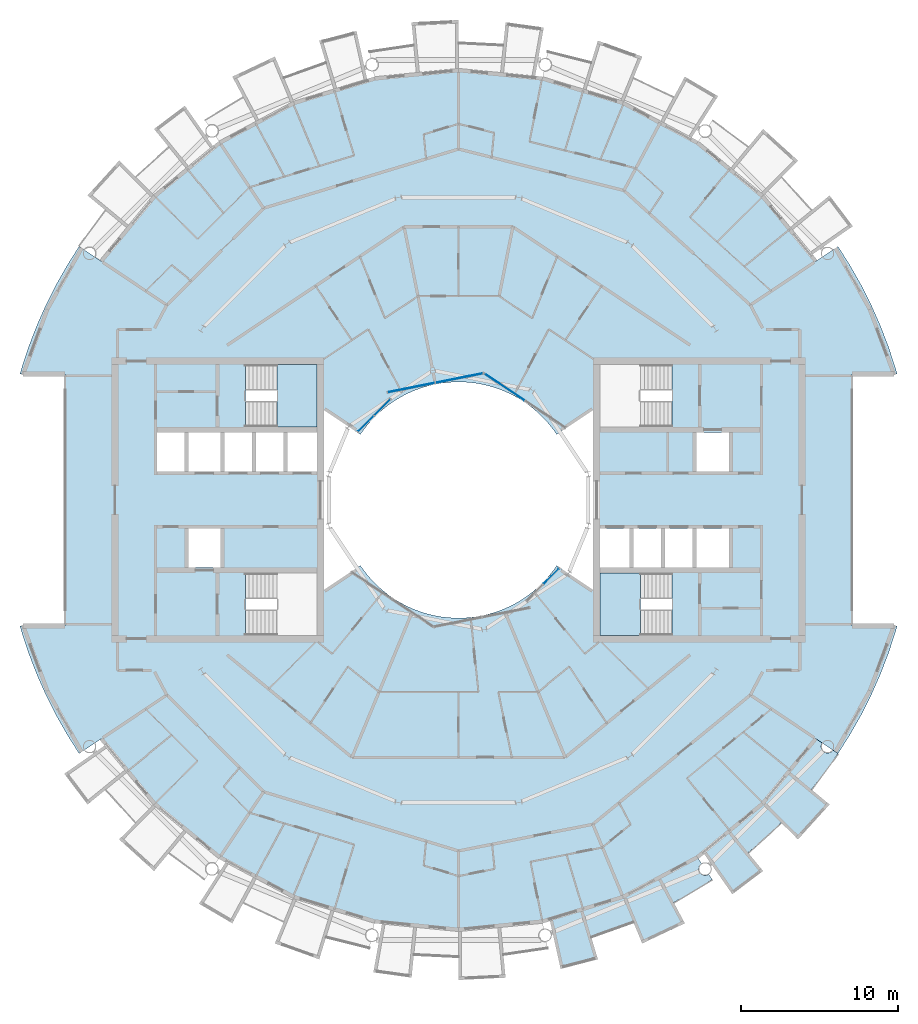
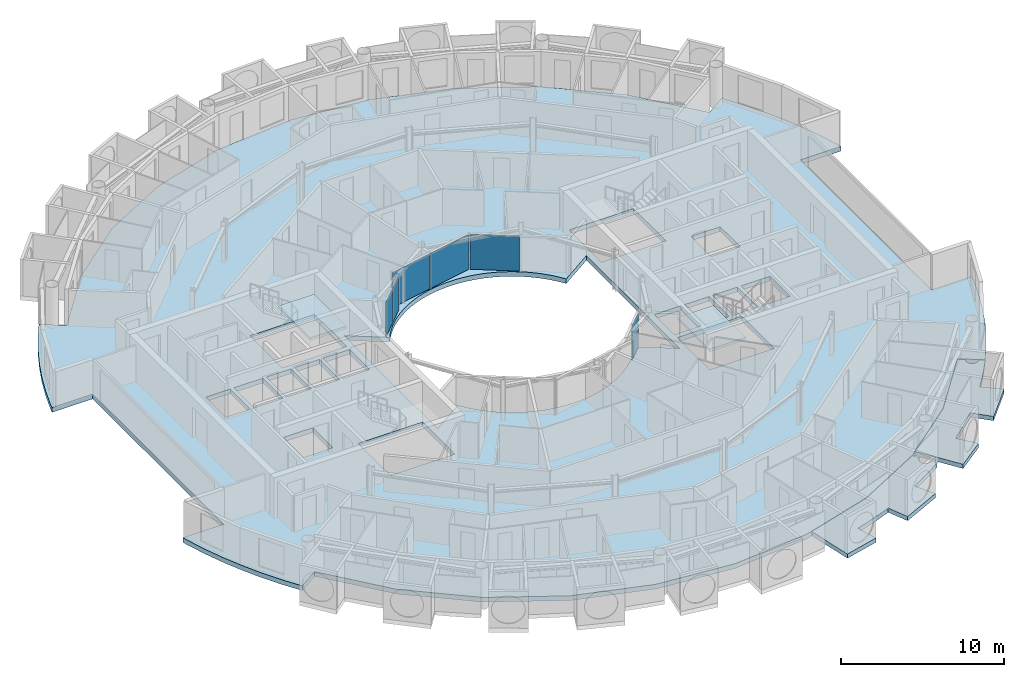
# One storey, part 12 of 27: 6 plates, 5 slabs, 6 elements without a shape of their own.
"""IFC4 building model written with IfcOpenShell, lengths in metres."""

from ifc_helpers import new_model, si_unit, direction, frame, origin, origin_2d, place, context, subcontext, project, spatial, polyline, rectangle, outline, extrude, material, layer, layer_set, type_object, element, aggregate, save


model = new_model("IFC4")

# Units and contexts
model_context = context("Model", 3, precision=1e-05, world=origin(), true_north=direction((0.0, 1.0)))
body_context = subcontext(model_context, "Body", "Model", "MODEL_VIEW")
ifc_project = project(units=[si_unit("LENGTHUNIT", "METRE"), si_unit("AREAUNIT", "SQUARE_METRE"), si_unit("VOLUMEUNIT", "CUBIC_METRE"), si_unit("PLANEANGLEUNIT", "RADIAN"), si_unit("MASSUNIT", "GRAM", prefix="KILO")], contexts=[model_context])

# Site, building, storey
site_placement = place(None, origin())
site = spatial("IfcSite", under=ifc_project, at=site_placement, CompositionType="ELEMENT")
building_placement = place(site_placement, origin())
building = spatial("IfcBuilding", under=site, at=building_placement, Name="Maasbend Ring Residences", CompositionType="ELEMENT")
storey_placement = place(building_placement, frame((0.0, 0.0, 199.35009765625)))
storey = spatial("IfcBuildingStorey", under=building, at=storey_placement, Name="L57", CompositionType="ELEMENT", Elevation=199.35009765625)

# Stair, slab
ifc_material_1 = material(Name="Concrete C40/50", Category="concrete")
stair_type = type_object("IfcStairType", Name="CORE STAIR 18 RISERS", PredefinedType="HALF_TURN_STAIR", material=ifc_material_1)
stair_1_placement = place(storey_placement, origin())
stair_1 = element("IfcStair", 1, at=stair_1_placement, inside=storey, type_object=stair_type, Name="L57 Exit stair ST-E2", PredefinedType="HALF_TURN_STAIR")
ifc_material_2 = material(Name="Concrete C40/50", Category="concrete")
ifc_layer_1 = layer(ifc_material_2, 0.199951171875)
ifc_layer_set_1 = layer_set([ifc_layer_1], Name="Concrete C40/50")
slab_type_1 = type_object("IfcSlabType", Name="CORE STAIR LANDING 200", PredefinedType="LANDING", material=ifc_layer_set_1)
slab_1_placement = place(storey_placement, frame((0.0, 0.0, 1.324951171875)))
slab_1 = element("IfcSlab", 2, at=slab_1_placement, type_object=slab_type_1, Name="ST-E2 landing 1", PredefinedType="LANDING", context=body_context, shape_type="SweptSolid", body=[
    extrude(outline(polyline([(11.550048828125, -4.64990234375), (9.0, -4.64990234375), (9.0, -8.60009765625), (11.550048828125, -8.60009765625), (11.550048828125, -4.64990234375)])), origin(), (0.0, 0.0, 1.0), 0.199951171875),
])
aggregate(stair_1, [slab_1])

stair_2_placement = place(storey_placement, origin())
stair_2 = element("IfcStair", 3, at=stair_2_placement, inside=storey, type_object=stair_type, Name="L57 Exit stair ST-W2", PredefinedType="HALF_TURN_STAIR")
slab_2_placement = place(storey_placement, frame((0.0, 0.0, 1.324951171875)))
slab_2 = element("IfcSlab", 4, at=slab_2_placement, type_object=slab_type_1, Name="ST-W2 landing 1", PredefinedType="LANDING", context=body_context, shape_type="SweptSolid", body=[
    extrude(outline(polyline([(-11.550048828125, 4.64990234375), (-9.0, 4.64990234375), (-9.0, 8.60009765625), (-11.550048828125, 8.60009765625), (-11.550048828125, 4.64990234375)])), origin(), (0.0, 0.0, 1.0), 0.199951171875),
])
aggregate(stair_2, [slab_2])

# Curtain wall, plate
ifc_material_3 = material(Name="Aluminium and clear glass", Category="aluminium")
ifc_layer_2 = layer(ifc_material_3, 0.179931640625)
ifc_layer_set_2 = layer_set([ifc_layer_2], Name="CW-W")
curtain_wall_type = type_object("IfcCurtainWallType", Name="CW-W", PredefinedType="NOTDEFINED", material=ifc_layer_set_2)
curtain_wall_1_placement = place(storey_placement, origin())
curtain_wall_1 = element("IfcCurtainWall", 5, at=curtain_wall_1_placement, inside=storey, type_object=curtain_wall_type, Name="Well curtain wall N1", PredefinedType="NOTDEFINED")
ifc_material_4 = material(Name="Glass clear laminated", Category="glass")
ifc_layer_3 = layer(ifc_material_4, 0.031982421875)
ifc_layer_set_3 = layer_set([ifc_layer_3], Name="CWP-W")
plate_type = type_object("IfcPlateType", Name="CWP-W", PredefinedType="CURTAIN_PANEL", material=ifc_layer_set_3)
plate_1_placement = place(storey_placement, frame((2.922119140625, 7.17578125, -0.000244140625), z_axis=(0.0, 0.0, 1.0), x_axis=(-0.831469612303, 0.55557023302, 0.0)))
plate_1 = element("IfcPlate", 6, at=plate_1_placement, type_object=plate_type, Name="Glass panel well face", PredefinedType="CURTAIN_PANEL", context=body_context, shape_type="SweptSolid", body=[
    extrude(rectangle(XDim=3.053955078125, YDim=0.031982421875, at=origin_2d()), origin(), (0.0, 0.0, 1.0), 2.580078125),
])
aggregate(curtain_wall_1, [plate_1])

# Curtain wall, plates
curtain_wall_2_placement = place(storey_placement, origin())
curtain_wall_2 = element("IfcCurtainWall", 7, at=curtain_wall_2_placement, inside=storey, type_object=curtain_wall_type, Name="Well curtain wall N2", PredefinedType="NOTDEFINED")
plate_2_placement = place(storey_placement, frame((0.04638671875, 7.747802734375, -0.000244140625), z_axis=(0.0, 0.0, 1.0), x_axis=(-0.980785280403, -0.195090322016, 0.0)))
plate_2 = element("IfcPlate", 8, at=plate_2_placement, type_object=plate_type, Name="Glass panel well face", PredefinedType="CURTAIN_PANEL", context=body_context, shape_type="SweptSolid", body=[
    extrude(rectangle(XDim=3.053955078125, YDim=0.031982421875, at=origin_2d()), origin(), (0.0, 0.0, 1.0), 2.580078125),
])
plate_3_placement = place(storey_placement, frame((-3.0078125, 7.140380859375, -0.000244140625), z_axis=(0.0, 0.0, 1.0), x_axis=(-0.980785280403, -0.195090322016, 0.0)))
plate_3 = element("IfcPlate", 9, at=plate_3_placement, type_object=plate_type, Name="Glass panel well face", PredefinedType="CURTAIN_PANEL", context=body_context, shape_type="SweptSolid", body=[
    extrude(rectangle(XDim=3.053955078125, YDim=0.031982421875, at=origin_2d()), origin(), (0.0, 0.0, 1.0), 2.580078125),
])
aggregate(curtain_wall_2, [plate_2, plate_3])

curtain_wall_3_placement = place(storey_placement, origin())
curtain_wall_3 = element("IfcCurtainWall", 10, at=curtain_wall_3_placement, inside=storey, type_object=curtain_wall_type, Name="Well curtain wall N3", PredefinedType="NOTDEFINED")
plate_4_placement = place(storey_placement, frame((-4.84375, 5.89013671875, -0.000244140625), z_axis=(0.0, 0.0, 1.0), x_axis=(-0.707106781187, -0.707106781187, 0.0)))
plate_4 = element("IfcPlate", 11, at=plate_4_placement, type_object=plate_type, Name="Glass panel well face", PredefinedType="CURTAIN_PANEL", context=body_context, shape_type="SweptSolid", body=[
    extrude(rectangle(XDim=1.419677734375, YDim=0.031982421875, at=origin_2d()), origin(), (0.0, 0.0, 1.0), 2.580078125),
])
plate_5_placement = place(storey_placement, frame((-5.89013671875, 4.84375, -0.000244140625), z_axis=(0.0, 0.0, 1.0), x_axis=(-0.707106781187, -0.707106781187, 0.0)))
plate_5 = element("IfcPlate", 12, at=plate_5_placement, type_object=plate_type, Name="Glass panel well face", PredefinedType="CURTAIN_PANEL", context=body_context, shape_type="SweptSolid", body=[
    extrude(rectangle(XDim=1.419677734375, YDim=0.031982421875, at=origin_2d()), origin(), (0.0, 0.0, 1.0), 2.580078125),
])
aggregate(curtain_wall_3, [plate_4, plate_5])

# Curtain wall, plate
curtain_wall_4_placement = place(storey_placement, origin())
curtain_wall_4 = element("IfcCurtainWall", 13, at=curtain_wall_4_placement, inside=storey, type_object=curtain_wall_type, Name="Well curtain wall S3", PredefinedType="NOTDEFINED")
plate_6_placement = place(storey_placement, frame((5.89013671875, -4.84375, -0.000244140625), z_axis=(0.0, 0.0, 1.0), x_axis=(0.707106781187, 0.707106781187, 0.0)))
plate_6 = element("IfcPlate", 14, at=plate_6_placement, type_object=plate_type, Name="Glass panel well face", PredefinedType="CURTAIN_PANEL", context=body_context, shape_type="SweptSolid", body=[
    extrude(rectangle(XDim=1.419677734375, YDim=0.031982421875, at=origin_2d()), origin(), (0.0, 0.0, 1.0), 2.580078125),
])
aggregate(curtain_wall_4, [plate_6])

# Slabs
ifc_material_5 = material(Name="Concrete C40/50", Category="concrete")
ifc_layer_4 = layer(ifc_material_5, 0.35009765625)
ifc_layer_set_4 = layer_set([ifc_layer_4], Name="Concrete C40/50")
slab_type_2 = type_object("IfcSlabType", Name="Post-tensioned flat plate 350", PredefinedType="FLOOR", material=ifc_layer_set_4)
slab_3_placement = place(storey_placement, frame((0.0, 0.0, -0.35009765625)))
element("IfcSlab", 15, at=slab_3_placement, inside=storey, type_object=slab_type_2, Name="Floor slab L57", PredefinedType="FLOOR", context=body_context, shape_type="SweptSolid", body=[
    extrude(outline(polyline([(24.8740234375, -14.908935546875), (25.57568359375, -13.67041015625), (26.2158203125, -12.399169921875), (26.79248046875, -11.097900390625), (27.3046875, -9.769775390625), (27.751220703125, -8.418212890625), (27.866943359375, -8.0), (25.0, -8.0), (25.0, 8.0), (27.866943359375, 8.0), (27.751220703125, 8.418212890625), (27.3046875, 9.769775390625), (26.79248046875, 11.097900390625), (26.2158203125, 12.399169921875), (25.57568359375, 13.67041015625), (24.8740234375, 14.908935546875), (24.112548828125, 16.111572265625), (22.69921875, 15.1669921875), (19.303955078125, 19.303955078125), (15.1669921875, 22.69921875), (10.447265625, 25.221923828125), (5.325927734375, 26.775390625), (0.0, 27.300048828125), (-5.325927734375, 26.775390625), (-10.447265625, 25.221923828125), (-15.1669921875, 22.69921875), (-19.303955078125, 19.303955078125), (-22.69921875, 15.1669921875), (-24.112548828125, 16.111572265625), (-24.8740234375, 14.908935546875), (-25.57568359375, 13.67041015625), (-26.2158203125, 12.399169921875), (-26.79248046875, 11.097900390625), (-27.3046875, 9.769775390625), (-27.751220703125, 8.418212890625), (-27.866943359375, 8.0), (-25.0, 8.0), (-25.0, -8.0), (-27.866943359375, -8.0), (-27.751220703125, -8.418212890625), (-27.3046875, -9.769775390625), (-26.79248046875, -11.097900390625), (-26.2158203125, -12.399169921875), (-25.57568359375, -13.67041015625), (-24.8740234375, -14.908935546875), (-24.112548828125, -16.111572265625), (-22.69921875, -15.1669921875), (-19.303955078125, -19.303955078125), (-15.1669921875, -22.69921875), (-10.447265625, -25.221923828125), (-5.325927734375, -26.775390625), (0.0, -27.300048828125), (5.325927734375, -26.775390625), (10.447265625, -25.221923828125), (15.1669921875, -22.69921875), (19.303955078125, -19.303955078125), (22.69921875, -15.1669921875), (24.112548828125, -16.111572265625), (24.8740234375, -14.908935546875)]), holes=[polyline([(15.125, 1.824951171875), (15.125, 4.27490234375), (17.175048828125, 4.27490234375), (17.175048828125, 1.824951171875), (15.125, 1.824951171875)]), polyline([(15.125, -4.27490234375), (15.125, -1.824951171875), (17.175048828125, -1.824951171875), (17.175048828125, -4.27490234375), (15.125, -4.27490234375)]), polyline([(13.125, -4.27490234375), (13.125, -1.824951171875), (14.875, -1.824951171875), (14.875, -4.27490234375), (13.125, -4.27490234375)]), polyline([(13.550048828125, 8.60009765625), (13.550048828125, 4.64990234375), (9.0, 4.64990234375), (9.0, 8.60009765625), (13.550048828125, 8.60009765625)]), polyline([(13.550048828125, -4.64990234375), (13.550048828125, -8.60009765625), (9.0, -8.60009765625), (9.0, -4.64990234375), (13.550048828125, -4.64990234375)]), polyline([(11.125, -4.27490234375), (11.125, -1.824951171875), (12.875, -1.824951171875), (12.875, -4.27490234375), (11.125, -4.27490234375)]), polyline([(9.0, -4.27490234375), (9.0, -1.824951171875), (10.875, -1.824951171875), (10.875, -4.27490234375), (9.0, -4.27490234375)]), polyline([(6.024169921875, 4.4677734375), (6.236083984375, 4.166748046875), (8.550048828125, 5.712890625), (8.550048828125, -5.712890625), (6.236083984375, -4.166748046875), (6.024169921875, -4.4677734375), (5.797607421875, -4.7578125), (5.55712890625, -5.03662109375), (5.30322265625, -5.30322265625), (5.03662109375, -5.55712890625), (4.7578125, -5.797607421875), (4.4677734375, -6.024169921875), (4.166748046875, -6.236083984375), (3.855712890625, -6.43310546875), (3.535400390625, -6.614501953125), (3.206787109375, -6.77978515625), (2.8701171875, -6.92919921875), (2.526611328125, -7.0615234375), (2.177001953125, -7.177001953125), (1.822509765625, -7.275146484375), (1.463134765625, -7.35595703125), (1.1005859375, -7.418701171875), (0.735107421875, -7.4638671875), (0.367919921875, -7.490966796875), (0.0, -7.5), (-0.367919921875, -7.490966796875), (-0.735107421875, -7.4638671875), (-1.1005859375, -7.418701171875), (-1.463134765625, -7.35595703125), (-1.822509765625, -7.275146484375), (-2.177001953125, -7.177001953125), (-2.526611328125, -7.0615234375), (-2.8701171875, -6.92919921875), (-3.206787109375, -6.77978515625), (-3.535400390625, -6.614501953125), (-3.855712890625, -6.43310546875), (-4.166748046875, -6.236083984375), (-4.4677734375, -6.024169921875), (-4.7578125, -5.797607421875), (-5.03662109375, -5.55712890625), (-5.30322265625, -5.30322265625), (-5.55712890625, -5.03662109375), (-5.797607421875, -4.7578125), (-6.024169921875, -4.4677734375), (-6.236083984375, -4.166748046875), (-8.550048828125, -5.712890625), (-8.550048828125, 5.712890625), (-6.236083984375, 4.166748046875), (-6.024169921875, 4.4677734375), (-5.797607421875, 4.7578125), (-5.55712890625, 5.03662109375), (-5.30322265625, 5.30322265625), (-5.03662109375, 5.55712890625), (-4.7578125, 5.797607421875), (-4.4677734375, 6.024169921875), (-4.166748046875, 6.236083984375), (-3.855712890625, 6.43310546875), (-3.535400390625, 6.614501953125), (-3.206787109375, 6.77978515625), (-2.8701171875, 6.92919921875), (-2.526611328125, 7.0615234375), (-2.177001953125, 7.177001953125), (-1.822509765625, 7.275146484375), (-1.463134765625, 7.35595703125), (-1.1005859375, 7.418701171875), (-0.735107421875, 7.4638671875), (-0.367919921875, 7.490966796875), (0.0, 7.5), (0.367919921875, 7.490966796875), (0.735107421875, 7.4638671875), (1.1005859375, 7.418701171875), (1.463134765625, 7.35595703125), (1.822509765625, 7.275146484375), (2.177001953125, 7.177001953125), (2.526611328125, 7.0615234375), (2.8701171875, 6.92919921875), (3.206787109375, 6.77978515625), (3.535400390625, 6.614501953125), (3.855712890625, 6.43310546875), (4.166748046875, 6.236083984375), (4.4677734375, 6.024169921875), (4.7578125, 5.797607421875), (5.03662109375, 5.55712890625), (5.30322265625, 5.30322265625), (5.55712890625, 5.03662109375), (5.797607421875, 4.7578125), (6.024169921875, 4.4677734375)]), polyline([(-13.550048828125, 4.64990234375), (-13.550048828125, 8.60009765625), (-9.0, 8.60009765625), (-9.0, 4.64990234375), (-13.550048828125, 4.64990234375)]), polyline([(-9.0, -8.60009765625), (-13.550048828125, -8.60009765625), (-13.550048828125, -4.64990234375), (-9.0, -4.64990234375), (-9.0, -8.60009765625)]), polyline([(-9.0, 4.27490234375), (-9.0, 1.824951171875), (-10.875, 1.824951171875), (-10.875, 4.27490234375), (-9.0, 4.27490234375)]), polyline([(-11.125, 4.27490234375), (-11.125, 1.824951171875), (-12.875, 1.824951171875), (-12.875, 4.27490234375), (-11.125, 4.27490234375)]), polyline([(-13.125, 4.27490234375), (-13.125, 1.824951171875), (-14.875, 1.824951171875), (-14.875, 4.27490234375), (-13.125, 4.27490234375)]), polyline([(-15.125, 4.27490234375), (-15.125, 1.824951171875), (-17.175048828125, 1.824951171875), (-17.175048828125, 4.27490234375), (-15.125, 4.27490234375)]), polyline([(-15.125, -1.824951171875), (-15.125, -4.27490234375), (-17.175048828125, -4.27490234375), (-17.175048828125, -1.824951171875), (-15.125, -1.824951171875)]), polyline([(-17.425048828125, 4.27490234375), (-17.425048828125, 1.824951171875), (-19.14990234375, 1.824951171875), (-19.14990234375, 4.27490234375), (-17.425048828125, 4.27490234375)])]), origin(), (0.0, 0.0, 1.0), 0.35009765625),
])
ifc_material_6 = material(Name="Concrete C40/50", Category="concrete")
ifc_layer_5 = layer(ifc_material_6, 0.199951171875)
ifc_layer_set_5 = layer_set([ifc_layer_5], Name="Concrete C40/50")
slab_type_3 = type_object("IfcSlabType", Name="SL-LOGGIA", PredefinedType="FLOOR", material=ifc_layer_set_5)
slab_4_placement = place(storey_placement, frame((0.0, 0.0, -0.35009765625)))
element("IfcSlab", 16, at=slab_4_placement, inside=storey, type_object=slab_type_3, Name="Loggia floor 1", PredefinedType="FLOOR", context=body_context, shape_type="SweptSolid", body=[
    extrude(outline(polyline([(10.447021484375, -25.221923828125), (12.806884765625, -23.9609375), (15.1669921875, -22.698974609375), (15.1669921875, -22.698974609375), (15.1669921875, -22.698974609375), (15.44091796875, -23.10888671875), (15.43310546875, -23.114990234375), (15.425048828125, -23.12109375), (15.4169921875, -23.126953125), (15.408935546875, -23.133056640625), (15.402099609375, -23.139892578125), (15.39404296875, -23.14599609375), (15.386962890625, -23.153076171875), (15.3798828125, -23.159912109375), (15.373046875, -23.1669921875), (15.365966796875, -23.174072265625), (15.35888671875, -23.181884765625), (15.35302734375, -23.18994140625), (15.346923828125, -23.197021484375), (15.341064453125, -23.205078125), (15.3349609375, -23.212890625), (15.3291015625, -23.221923828125), (15.323974609375, -23.22998046875), (15.318115234375, -23.238037109375), (15.31298828125, -23.2470703125), (15.30908203125, -23.256103515625), (15.303955078125, -23.264892578125), (15.300048828125, -23.27392578125), (15.294921875, -23.282958984375), (15.2919921875, -23.2919921875), (15.2880859375, -23.301025390625), (15.283935546875, -23.31005859375), (15.281005859375, -23.320068359375), (15.278076171875, -23.3291015625), (15.27490234375, -23.339111328125), (15.27294921875, -23.34912109375), (15.27001953125, -23.35791015625), (15.26806640625, -23.367919921875), (15.26708984375, -23.3779296875), (15.264892578125, -23.387939453125), (15.263916015625, -23.39794921875), (15.262939453125, -23.407958984375), (15.261962890625, -23.4169921875), (15.260986328125, -23.427001953125), (15.260986328125, -23.43701171875), (15.260986328125, -23.447021484375), (15.260986328125, -23.45703125), (15.260986328125, -23.467041015625), (15.261962890625, -23.47705078125), (15.262939453125, -23.487060546875), (15.263916015625, -23.4970703125), (15.264892578125, -23.507080078125), (15.26708984375, -23.51708984375), (15.26806640625, -23.527099609375), (15.27001953125, -23.535888671875), (15.27294921875, -23.5458984375), (15.27490234375, -23.555908203125), (15.278076171875, -23.56494140625), (15.281005859375, -23.574951171875), (15.283935546875, -23.583984375), (15.2880859375, -23.593994140625), (15.2919921875, -23.60302734375), (15.294921875, -23.612060546875), (15.300048828125, -23.62109375), (15.303955078125, -23.6298828125), (15.30908203125, -23.638916015625), (15.31298828125, -23.64794921875), (15.318115234375, -23.656005859375), (15.323974609375, -23.6650390625), (15.3291015625, -23.673095703125), (15.3349609375, -23.680908203125), (15.341064453125, -23.68994140625), (15.346923828125, -23.697021484375), (15.35302734375, -23.705078125), (15.35888671875, -23.712890625), (15.365966796875, -23.719970703125), (15.373046875, -23.72802734375), (15.3798828125, -23.735107421875), (15.386962890625, -23.741943359375), (15.39404296875, -23.7490234375), (15.402099609375, -23.7548828125), (15.408935546875, -23.761962890625), (15.4169921875, -23.76806640625), (15.425048828125, -23.77392578125), (15.43310546875, -23.780029296875), (15.44091796875, -23.784912109375), (15.449951171875, -23.791015625), (15.4580078125, -23.7958984375), (15.467041015625, -23.801025390625), (15.47509765625, -23.805908203125), (15.48388671875, -23.81005859375), (15.492919921875, -23.81494140625), (15.501953125, -23.819091796875), (15.511962890625, -23.822998046875), (15.52099609375, -23.826904296875), (15.530029296875, -23.830078125), (15.5400390625, -23.8330078125), (15.549072265625, -23.8359375), (15.55908203125, -23.839111328125), (15.568115234375, -23.842041015625), (15.577880859375, -23.843994140625), (15.587890625, -23.845947265625), (15.597900390625, -23.847900390625), (15.60693359375, -23.85009765625), (15.616943359375, -23.85107421875), (15.626953125, -23.85205078125), (15.636962890625, -23.85302734375), (15.64697265625, -23.85302734375), (15.656982421875, -23.85400390625), (15.6669921875, -23.85400390625), (15.677001953125, -23.85400390625), (15.68701171875, -23.85302734375), (15.697021484375, -23.85302734375), (15.70703125, -23.85205078125), (15.717041015625, -23.85107421875), (15.72705078125, -23.85009765625), (15.737060546875, -23.847900390625), (15.74609375, -23.845947265625), (15.756103515625, -23.843994140625), (15.76611328125, -23.842041015625), (15.77587890625, -23.839111328125), (15.784912109375, -23.8359375), (15.794921875, -23.8330078125), (15.803955078125, -23.830078125), (15.81298828125, -23.826904296875), (15.822998046875, -23.822998046875), (15.83203125, -23.819091796875), (15.841064453125, -23.81494140625), (15.85009765625, -23.81005859375), (15.85888671875, -23.805908203125), (15.866943359375, -23.801025390625), (15.8759765625, -23.7958984375), (15.885009765625, -23.791015625), (15.89306640625, -23.784912109375), (16.112060546875, -24.113037109375), (16.112060546875, -24.113037109375), (16.112060546875, -24.113037109375), (15.31396484375, -24.626953125), (15.31396484375, -24.626953125), (14.5, -25.114990234375), (14.5, -25.114990234375), (13.6708984375, -25.574951171875), (13.6708984375, -25.575927734375), (13.6708984375, -25.575927734375), (13.6708984375, -25.575927734375), (13.6708984375, -25.575927734375), (13.6708984375, -25.575927734375), (13.6708984375, -25.575927734375), (13.6708984375, -25.575927734375), (13.6708984375, -25.575927734375), (13.6708984375, -25.575927734375), (13.6708984375, -25.575927734375), (13.6708984375, -25.575927734375), (13.6708984375, -25.575927734375), (13.6708984375, -25.575927734375), (13.6708984375, -25.575927734375), (13.6708984375, -25.575927734375), (13.6708984375, -25.575927734375), (14.3779296875, -26.89892578125), (14.3779296875, -26.89892578125), (14.3779296875, -26.89892578125), (11.672119140625, -28.177978515625), (11.672119140625, -28.177978515625), (11.672119140625, -28.177978515625), (11.097900390625, -26.79296875), (11.097900390625, -26.79296875), (11.097900390625, -26.79296875), (11.097900390625, -26.79296875), (11.097900390625, -26.79296875), (11.097900390625, -26.79296875), (11.097900390625, -26.79296875), (11.097900390625, -26.79296875), (11.097900390625, -26.79296875), (11.097900390625, -26.79296875), (11.097900390625, -26.79296875), (11.097900390625, -26.79296875), (11.097900390625, -26.79296875), (11.097900390625, -26.79296875), (11.096923828125, -26.79296875), (11.096923828125, -26.79296875), (11.096923828125, -26.79296875), (10.215087890625, -27.14111328125), (10.215087890625, -27.14111328125), (9.322021484375, -27.4609375), (9.322021484375, -27.4609375), (8.4189453125, -27.7509765625), (8.4189453125, -27.7509765625), (8.4189453125, -27.7509765625), (8.4189453125, -27.7509765625), (8.4189453125, -27.7509765625), (8.4189453125, -27.7509765625), (8.41796875, -27.7509765625), (8.41796875, -27.7509765625), (8.41796875, -27.7509765625), (8.41796875, -27.7509765625), (8.41796875, -27.7509765625), (8.41796875, -27.751953125), (8.41796875, -27.751953125), (8.41796875, -27.751953125), (8.41796875, -27.751953125), (8.41796875, -27.751953125), (8.41796875, -27.751953125), (8.85400390625, -29.18701171875), (8.85400390625, -29.18701171875), (8.85400390625, -29.18701171875), (6.487060546875, -29.802001953125), (6.487060546875, -29.802001953125), (6.487060546875, -29.802001953125), (5.797119140625, -26.633056640625), (5.797119140625, -26.633056640625), (5.797119140625, -26.633056640625), (7.886962890625, -25.9990234375), (10.447021484375, -25.221923828125), (10.447021484375, -25.221923828125), (10.447021484375, -25.221923828125)])), origin(), (0.0, 0.0, 1.0), 0.320068359375),
])
slab_5_placement = place(storey_placement, frame((0.0, 0.0, -0.35009765625)))
element("IfcSlab", 17, at=slab_5_placement, inside=storey, type_object=slab_type_3, Name="Loggia floor 4", PredefinedType="FLOOR", context=body_context, shape_type="SweptSolid", body=[
    extrude(outline(polyline([(19.303955078125, -19.303955078125), (21.001953125, -17.236083984375), (22.698974609375, -15.1669921875), (22.698974609375, -15.1669921875), (22.698974609375, -15.1669921875), (23.10888671875, -15.44091796875), (23.10888671875, -15.44091796875), (23.10400390625, -15.449951171875), (23.09912109375, -15.4580078125), (23.093994140625, -15.467041015625), (23.089111328125, -15.47509765625), (23.083984375, -15.48388671875), (23.080078125, -15.492919921875), (23.075927734375, -15.501953125), (23.072021484375, -15.511962890625), (23.068115234375, -15.52099609375), (23.06494140625, -15.530029296875), (23.06103515625, -15.5400390625), (23.05810546875, -15.549072265625), (23.055908203125, -15.55908203125), (23.052978515625, -15.568115234375), (23.051025390625, -15.577880859375), (23.049072265625, -15.587890625), (23.047119140625, -15.597900390625), (23.044921875, -15.60693359375), (23.0439453125, -15.616943359375), (23.04296875, -15.626953125), (23.0419921875, -15.636962890625), (23.041015625, -15.64697265625), (23.041015625, -15.656982421875), (23.041015625, -15.6669921875), (23.041015625, -15.677001953125), (23.041015625, -15.68701171875), (23.0419921875, -15.697021484375), (23.04296875, -15.70703125), (23.0439453125, -15.717041015625), (23.044921875, -15.72705078125), (23.047119140625, -15.737060546875), (23.049072265625, -15.74609375), (23.051025390625, -15.756103515625), (23.052978515625, -15.76611328125), (23.055908203125, -15.77587890625), (23.05810546875, -15.784912109375), (23.06103515625, -15.794921875), (23.06494140625, -15.803955078125), (23.068115234375, -15.81298828125), (23.072021484375, -15.822998046875), (23.075927734375, -15.83203125), (23.080078125, -15.841064453125), (23.083984375, -15.85009765625), (23.089111328125, -15.85888671875), (23.093994140625, -15.866943359375), (23.09912109375, -15.8759765625), (23.10400390625, -15.885009765625), (23.10888671875, -15.89306640625), (23.114990234375, -15.90087890625), (23.12109375, -15.908935546875), (23.126953125, -15.9169921875), (23.133056640625, -15.925048828125), (23.139892578125, -15.93310546875), (23.14599609375, -15.93994140625), (23.153076171875, -15.947021484375), (23.159912109375, -15.955078125), (23.1669921875, -15.9619140625), (23.174072265625, -15.968017578125), (23.181884765625, -15.97509765625), (23.18994140625, -15.98095703125), (23.197021484375, -15.988037109375), (23.205078125, -15.993896484375), (23.212890625, -15.9990234375), (23.221923828125, -16.0048828125), (23.22998046875, -16.010986328125), (23.238037109375, -16.01611328125), (23.2470703125, -16.02099609375), (23.256103515625, -16.02587890625), (23.264892578125, -16.030029296875), (23.27392578125, -16.034912109375), (23.282958984375, -16.0390625), (23.2919921875, -16.04296875), (23.301025390625, -16.0458984375), (23.31005859375, -16.050048828125), (23.320068359375, -16.052978515625), (23.3291015625, -16.055908203125), (23.339111328125, -16.05908203125), (23.34912109375, -16.06103515625), (23.35791015625, -16.06396484375), (23.367919921875, -16.06591796875), (23.3779296875, -16.068115234375), (23.387939453125, -16.069091796875), (23.39794921875, -16.071044921875), (23.407958984375, -16.072021484375), (23.4169921875, -16.072021484375), (23.427001953125, -16.072998046875), (23.43701171875, -16.072998046875), (23.447021484375, -16.073974609375), (23.45703125, -16.072998046875), (23.467041015625, -16.072998046875), (23.47705078125, -16.072021484375), (23.487060546875, -16.072021484375), (23.4970703125, -16.071044921875), (23.507080078125, -16.069091796875), (23.51708984375, -16.068115234375), (23.527099609375, -16.06591796875), (23.535888671875, -16.06396484375), (23.5458984375, -16.06103515625), (23.555908203125, -16.05908203125), (23.56494140625, -16.055908203125), (23.574951171875, -16.052978515625), (23.583984375, -16.050048828125), (23.593994140625, -16.0458984375), (23.60302734375, -16.04296875), (23.612060546875, -16.0390625), (23.62109375, -16.034912109375), (23.6298828125, -16.030029296875), (23.638916015625, -16.02587890625), (23.64794921875, -16.02099609375), (23.656005859375, -16.01611328125), (23.6650390625, -16.010986328125), (23.673095703125, -16.0048828125), (23.680908203125, -15.9990234375), (23.68994140625, -15.993896484375), (23.697021484375, -15.988037109375), (23.705078125, -15.98095703125), (23.712890625, -15.97509765625), (23.719970703125, -15.968017578125), (23.72802734375, -15.9619140625), (23.735107421875, -15.955078125), (23.741943359375, -15.947021484375), (23.7490234375, -15.93994140625), (23.7548828125, -15.93310546875), (23.761962890625, -15.925048828125), (23.76806640625, -15.9169921875), (23.77392578125, -15.908935546875), (23.780029296875, -15.90087890625), (23.784912109375, -15.89306640625), (23.784912109375, -15.89306640625), (24.113037109375, -16.112060546875), (24.113037109375, -16.112060546875), (24.113037109375, -16.112060546875), (23.572998046875, -16.89208984375), (23.572998046875, -16.89208984375), (23.007080078125, -17.654052734375), (23.007080078125, -17.654052734375), (22.41796875, -18.39697265625), (22.41796875, -18.39697265625), (22.41796875, -18.39697265625), (22.41796875, -18.39697265625), (22.41796875, -18.39697265625), (22.41796875, -18.39697265625), (22.41796875, -18.39697265625), (22.41796875, -18.39697265625), (22.41796875, -18.39697265625), (22.41796875, -18.39697265625), (22.41796875, -18.39697265625), (22.41796875, -18.39794921875), (22.41796875, -18.39794921875), (22.41796875, -18.39794921875), (22.41796875, -18.39794921875), (22.41796875, -18.39794921875), (22.41796875, -18.39794921875), (23.576904296875, -19.34912109375), (23.576904296875, -19.34912109375), (23.576904296875, -19.34912109375), (21.56689453125, -21.56689453125), (21.56689453125, -21.56689453125), (21.56689453125, -21.56689453125), (20.506103515625, -20.506103515625), (20.506103515625, -20.506103515625), (20.506103515625, -20.506103515625), (20.506103515625, -20.506103515625), (20.506103515625, -20.506103515625), (20.506103515625, -20.506103515625), (20.506103515625, -20.506103515625), (20.506103515625, -20.506103515625), (20.506103515625, -20.506103515625), (20.506103515625, -20.506103515625), (20.506103515625, -20.506103515625), (20.506103515625, -20.506103515625), (20.506103515625, -20.506103515625), (20.506103515625, -20.506103515625), (20.506103515625, -20.506103515625), (20.506103515625, -20.506103515625), (20.506103515625, -20.506103515625), (19.823974609375, -21.166015625), (19.823974609375, -21.166015625), (19.12109375, -21.802978515625), (19.12109375, -21.802978515625), (18.39794921875, -22.4169921875), (18.39794921875, -22.4169921875), (18.39794921875, -22.4169921875), (18.39794921875, -22.4169921875), (18.39794921875, -22.4169921875), (18.39794921875, -22.4169921875), (18.39794921875, -22.4169921875), (18.39794921875, -22.4169921875), (18.39794921875, -22.4169921875), (18.39794921875, -22.4169921875), (18.39794921875, -22.4169921875), (18.39794921875, -22.4169921875), (18.39794921875, -22.41796875), (18.39794921875, -22.41796875), (18.39794921875, -22.41796875), (18.39794921875, -22.41796875), (18.39794921875, -22.41796875), (19.34912109375, -23.576904296875), (19.34912109375, -23.576904296875), (19.34912109375, -23.576904296875), (17.39794921875, -25.051025390625), (17.39794921875, -25.051025390625), (17.39794921875, -25.051025390625), (15.547119140625, -22.386962890625), (15.547119140625, -22.386962890625), (15.547119140625, -22.386962890625), (17.236083984375, -21.001953125), (19.303955078125, -19.303955078125), (19.303955078125, -19.303955078125), (19.303955078125, -19.303955078125)])), origin(), (0.0, 0.0, 1.0), 0.320068359375),
])

save(model, "model.ifc")
